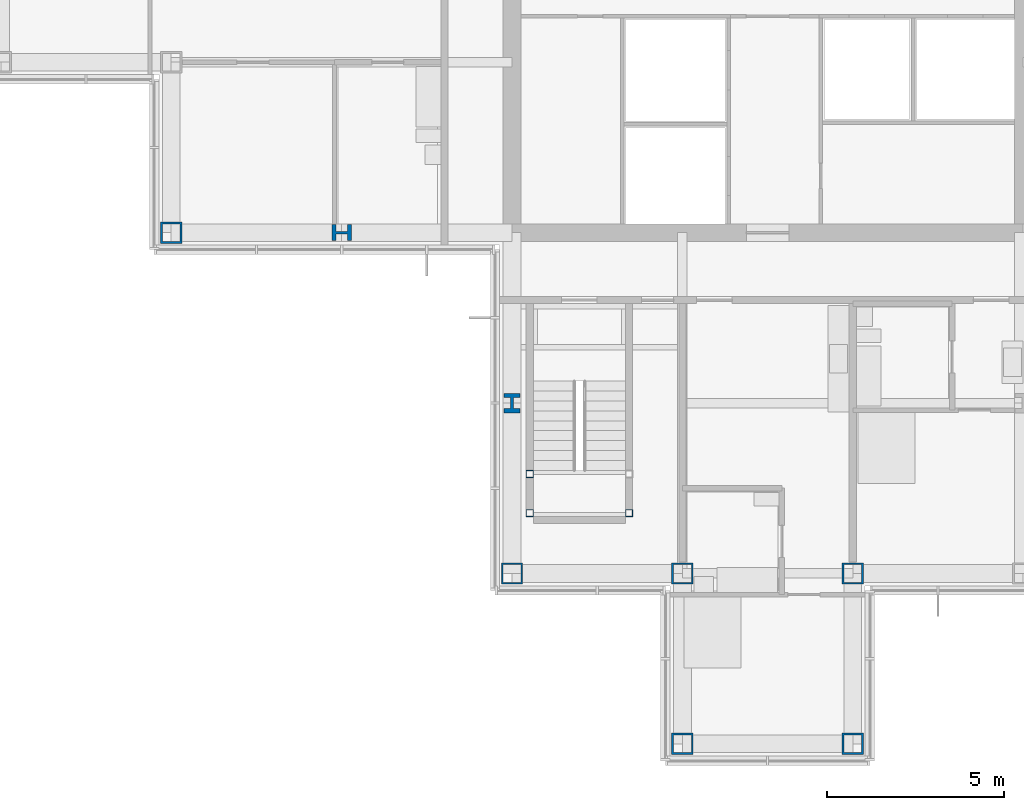
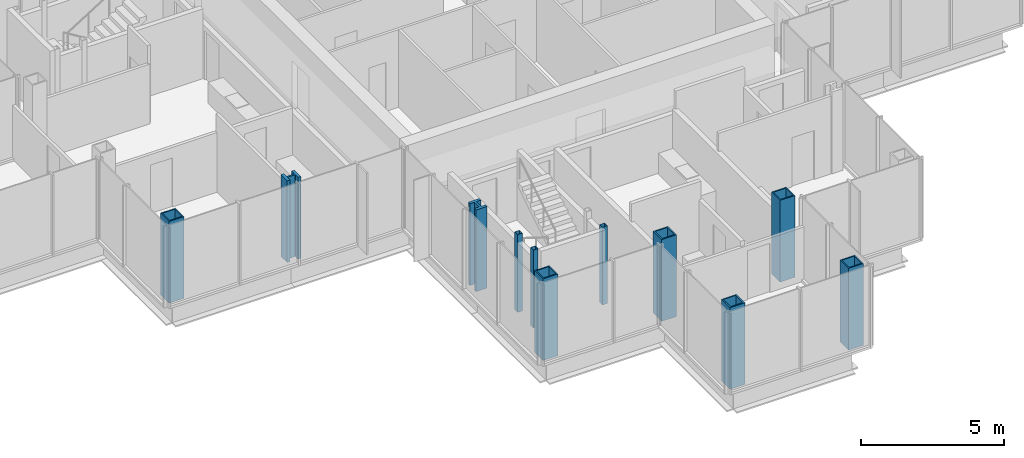
# One storey, part 1 of 15: 11 columns.
"""IFC4 building model written with IfcOpenShell, lengths in metres."""

from ifc_helpers import new_model, si_unit, direction, frame, origin, origin_2d, place, context, subcontext, project, spatial, hollow_rectangle, i_section, extrude, material, material_profile, profile_set, type_object, element, save


model = new_model("IFC4")

# Units and contexts
model_context = context("Model", 3, precision=1e-05, world=origin(), true_north=direction((0.0, 1.0)))
body_context = subcontext(model_context, "Body", "Model", "MODEL_VIEW")
ifc_project = project(units=[si_unit("LENGTHUNIT", "METRE"), si_unit("AREAUNIT", "SQUARE_METRE"), si_unit("VOLUMEUNIT", "CUBIC_METRE"), si_unit("PLANEANGLEUNIT", "RADIAN"), si_unit("MASSUNIT", "GRAM", prefix="KILO")], contexts=[model_context])

# Site, building, storey
site_placement = place(None, origin())
site = spatial("IfcSite", under=ifc_project, at=site_placement, CompositionType="ELEMENT")
building_placement = place(site_placement, origin())
building = spatial("IfcBuilding", under=site, at=building_placement, Name="Kvirike Care Tower", CompositionType="ELEMENT")
storey_placement = place(building_placement, frame((0.0, 0.0, 222.5)))
storey = spatial("IfcBuildingStorey", under=building, at=storey_placement, Name="L61", CompositionType="ELEMENT", Elevation=222.5)

# Columns
ifc_material_1 = material(Name="Steel S460", Category="steel")
ifc_material_profile_1 = material_profile(ifc_material_1, hollow_rectangle(XDim=0.60009765625, YDim=0.60009765625, WallThickness=0.050048828125, at=origin_2d()), Name="BX 600x600x50")
ifc_profile_set_1 = profile_set([ifc_material_profile_1], Name="Steel S460")
column_type_1 = type_object("IfcColumnType", Name="COLUMN BX 600x600x50", PredefinedType="COLUMN", material=ifc_profile_set_1)
for number, where, z_axis, x_axis, name in (
    (1, (4.800048828125, 28.800048828125, 0.0), (0.0, 0.0, 1.0), (0.0, 1.0, 0.0), "Column G4 L61"),
    (2, (14.39990234375, 19.199951171875, 0.0), (0.0, 0.0, 1.0), (0.0, 1.0, 0.0), "Column E6 L61"),
    (3, (19.199951171875, 14.39990234375, 0.0), (0.0, 0.0, 1.0), (0.0, 1.0, 0.0), "Column D7 L61"),
    (4, (19.199951171875, 19.199951171875, 0.0), (0.0, 0.0, 1.0), (0.0, 1.0, 0.0), "Column E7 L61"),
    (5, (24.0, 14.39990234375, 0.0), (0.0, 0.0, 1.0), (0.0, 1.0, 0.0), "Column D8 L61"),
    (6, (24.0, 19.199951171875, 0.0), (0.0, 0.0, 1.0), (0.0, 1.0, 0.0), "Column E8 L61"),
):
    element("IfcColumn", number, at=place(storey_placement, frame(where, z_axis=z_axis, x_axis=x_axis)), inside=storey, type_object=column_type_1, Name=name, PredefinedType="COLUMN", context=body_context, shape_type="SweptSolid", body=[
        extrude(hollow_rectangle(XDim=0.60009765625, YDim=0.60009765625, WallThickness=0.050048828125, at=origin_2d()), origin(), (0.0, 0.0, 1.0), 3.5),
    ])
ifc_material_2 = material(Name="Steel S460", Category="steel")
ifc_material_profile_2 = material_profile(ifc_material_2, i_section(OverallWidth=0.447998046875, OverallDepth=0.550048828125, WebThickness=0.072021484375, FlangeThickness=0.114990234375, FilletRadius=0.014892578125, at=origin_2d()), Name="HD 400x990")
ifc_profile_set_2 = profile_set([ifc_material_profile_2], Name="Steel S460")
column_type_2 = type_object("IfcColumnType", Name="COLUMN HD 400x990", PredefinedType="COLUMN", material=ifc_profile_set_2)
for number, where, z_axis, x_axis, name in (
    (7, (9.60009765625, 28.800048828125, 0.0), (0.0, 0.0, 1.0), (0.0, 1.0, 0.0), "Column G5 L61"),
    (8, (14.39990234375, 24.0, 0.0), (0.0, 0.0, 1.0), (1.0, 0.0, 0.0), "Column F6 L61"),
):
    element("IfcColumn", number, at=place(storey_placement, frame(where, z_axis=z_axis, x_axis=x_axis)), inside=storey, type_object=column_type_2, Name=name, PredefinedType="COLUMN", context=body_context, shape_type="SweptSolid", body=[
        extrude(i_section(OverallWidth=0.447998046875, OverallDepth=0.550048828125, WebThickness=0.072021484375, FlangeThickness=0.114990234375, FilletRadius=0.014892578125, at=origin_2d()), origin(), (0.0, 0.0, 1.0), 3.5),
    ])
ifc_material_3 = material(Name="Steel S460", Category="steel")
ifc_material_profile_3 = material_profile(ifc_material_3, hollow_rectangle(XDim=0.199951171875, YDim=0.199951171875, WallThickness=0.008056640625, at=origin_2d()), Name="SHS 200x200x8")
ifc_profile_set_3 = profile_set([ifc_material_profile_3], Name="Steel S460")
column_type_3 = type_object("IfcColumnType", Name="STAIR POST SHS 200x200x8", PredefinedType="COLUMN", material=ifc_profile_set_3)
for number, where, z_axis, x_axis, name in (
    (9, (14.89990234375, 20.89990234375, 0.0), (0.0, 0.0, 1.0), (1.0, 0.0, 0.0), "Stair 5 post 1 L61"),
    (10, (17.699951171875, 20.89990234375, 0.0), (0.0, 0.0, 1.0), (1.0, 0.0, 0.0), "Stair 5 post 2 L61"),
    (11, (14.89990234375, 22.0, 0.0), (0.0, 0.0, 1.0), (1.0, 0.0, 0.0), "Stair 5 post 3 L61"),
):
    element("IfcColumn", number, at=place(storey_placement, frame(where, z_axis=z_axis, x_axis=x_axis)), inside=storey, type_object=column_type_3, Name=name, PredefinedType="COLUMN", context=body_context, shape_type="SweptSolid", body=[
        extrude(hollow_rectangle(XDim=0.199951171875, YDim=0.199951171875, WallThickness=0.008056640625, at=origin_2d()), origin(), (0.0, 0.0, 1.0), 3.330078125),
    ])

save(model, "model.ifc")
